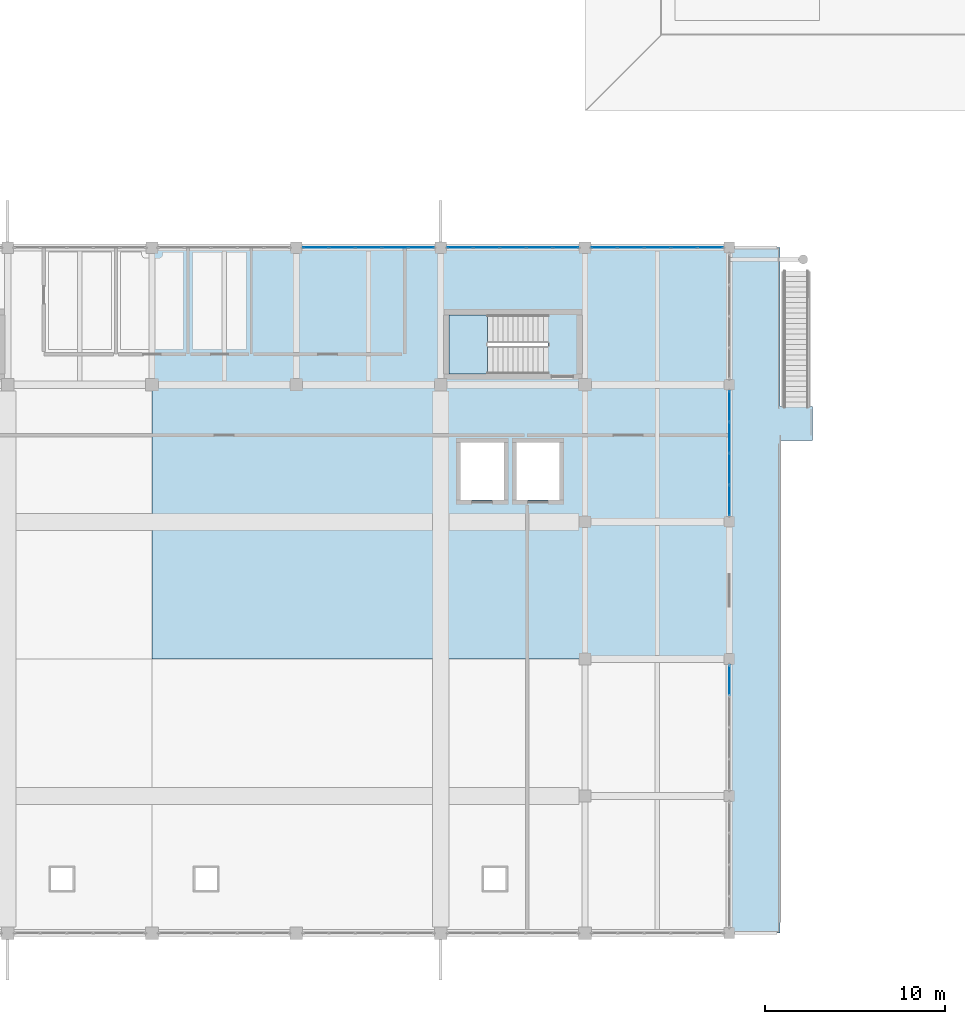
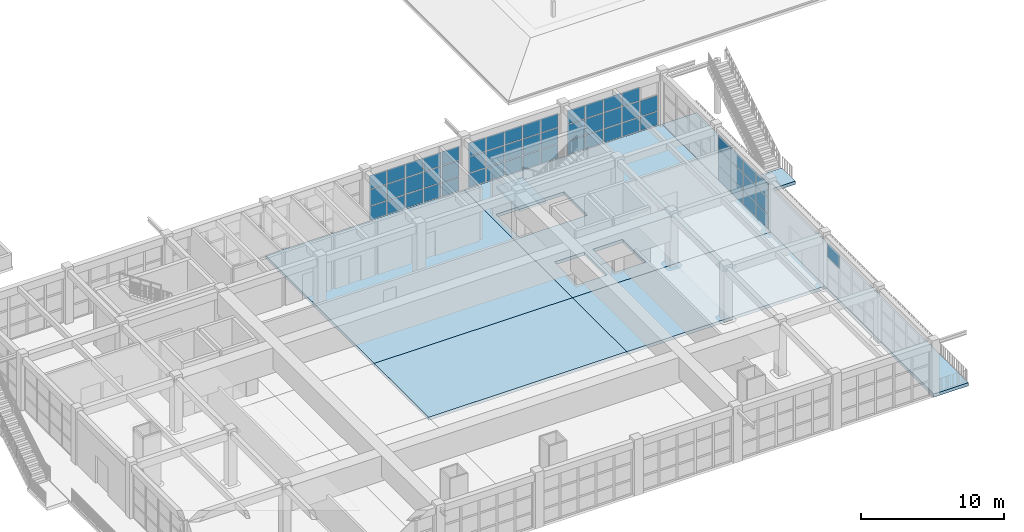
# One storey, part 33 of 50: 57 plates, 6 slabs, 6 elements without a shape of their own.
"""IFC4 building model written with IfcOpenShell, lengths in metres."""

from ifc_helpers import new_model, si_unit, direction, frame, origin, origin_2d, place, context, subcontext, project, spatial, polyline, rectangle, outline, extrude, material, layer, layer_set, type_object, element, aggregate, save


model = new_model("IFC4")

# Units and contexts
model_context = context("Model", 3, precision=1e-05, world=origin(), true_north=direction((0.0, 1.0)))
body_context = subcontext(model_context, "Body", "Model", "MODEL_VIEW")
ifc_project = project(units=[si_unit("LENGTHUNIT", "METRE"), si_unit("AREAUNIT", "SQUARE_METRE"), si_unit("VOLUMEUNIT", "CUBIC_METRE"), si_unit("PLANEANGLEUNIT", "RADIAN"), si_unit("MASSUNIT", "GRAM", prefix="KILO")], contexts=[model_context])

# Site, building, storey
site_placement = place(None, origin())
site = spatial("IfcSite", under=ifc_project, at=site_placement, CompositionType="ELEMENT")
building_placement = place(site_placement, origin())
building = spatial("IfcBuilding", under=site, at=building_placement, Name="Zantavel Square City Hall", CompositionType="ELEMENT")
storey_placement = place(building_placement, frame((0.0, 0.0, 18.89990234375)))
storey = spatial("IfcBuildingStorey", under=building, at=storey_placement, Name="L05", CompositionType="ELEMENT", Elevation=18.89990234375)

# Stair, slab
ifc_material_1 = material(Name="Concrete C35/45", Category="concrete")
stair_type = type_object("IfcStairType", Name="Enclosed Core Dogleg Stair L05 H4800", PredefinedType="HALF_TURN_STAIR", material=ifc_material_1)
stair_placement = place(storey_placement, origin())
stair = element("IfcStair", 1, at=stair_placement, inside=storey, type_object=stair_type, Name="L05 Exit Stair 6 Central East Core", PredefinedType="HALF_TURN_STAIR")
ifc_layer_1 = layer(ifc_material_1, 0.2099609375, Name="Concrete C35/45")
ifc_layer_set_1 = layer_set([ifc_layer_1], Name="Concrete C35/45")
slab_type_1 = type_object("IfcSlabType", Name="Core Stair Half-Landing Slab C35/45", PredefinedType="LANDING", material=ifc_layer_set_1)
slab_1_placement = place(storey_placement, frame((0.0, 0.0, 2.2001953125)))
slab_1 = element("IfcSlab", 2, at=slab_1_placement, type_object=slab_type_1, Name="ST6 landing 1", PredefinedType="LANDING", context=body_context, shape_type="SweptSolid", body=[
    extrude(outline(polyline([(98.610107421875, 64.669921875), (96.469970703125, 64.669921875), (96.469970703125, 61.39990234375), (98.610107421875, 61.39990234375), (98.610107421875, 64.669921875)])), origin(), (0.0, 0.0, 1.0), 0.199951171875),
])
aggregate(stair, [slab_1])

# Slabs
ifc_material_2 = material(Name="Concrete C40/50", Category="concrete")
ifc_layer_2 = layer(ifc_material_2, 0.27001953125, Name="Concrete C40/50")
ifc_layer_set_2 = layer_set([ifc_layer_2], Name="Concrete C40/50")
slab_type_2 = type_object("IfcSlabType", Name="Council Chamber Acoustic Slab 270mm C40/50", PredefinedType="FLOOR", material=ifc_layer_set_2)
slab_2_placement = place(storey_placement, frame((0.0, 0.0, -0.27001953125)))
element("IfcSlab", 3, at=slab_2_placement, inside=storey, type_object=slab_type_2, Name="L05 Floor Slab SLB-L05-V1-07", PredefinedType="FLOOR", context=body_context, shape_type="SweptSolid", body=[
    extrude(outline(polyline([(96.0, 53.199951171875), (96.0, 45.60009765625), (80.0, 45.60009765625), (80.0, 53.199951171875), (96.0, 53.199951171875)])), origin(), (0.0, 0.0, 1.0), 0.27001953125),
])
slab_3_placement = place(storey_placement, frame((0.0, 0.0, -0.27001953125)))
element("IfcSlab", 4, at=slab_3_placement, inside=storey, type_object=slab_type_2, Name="L05 Floor Slab SLB-L05-V1-08", PredefinedType="FLOOR", context=body_context, shape_type="SweptSolid", body=[
    extrude(outline(polyline([(112.0, 53.199951171875), (112.0, 45.60009765625), (96.0, 45.60009765625), (96.0, 53.199951171875), (112.0, 53.199951171875)])), origin(), (0.0, 0.0, 1.0), 0.27001953125),
])
slab_4_placement = place(storey_placement, frame((0.0, 0.0, -0.27001953125)))
element("IfcSlab", 5, at=slab_4_placement, inside=storey, type_object=slab_type_2, Name="L05 Floor Slab SLB-L05-V1-11", PredefinedType="FLOOR", context=body_context, shape_type="SweptSolid", body=[
    extrude(outline(polyline([(96.0, 68.39990234375), (96.0, 53.199951171875), (80.0, 53.199951171875), (80.0, 68.39990234375), (96.0, 68.39990234375)])), origin(), (0.0, 0.0, 1.0), 0.27001953125),
])
slab_5_placement = place(storey_placement, frame((0.0, 0.0, -0.27001953125)))
element("IfcSlab", 6, at=slab_5_placement, inside=storey, type_object=slab_type_2, Name="L05 Floor Slab SLB-L05-V1-12", PredefinedType="FLOOR", context=body_context, shape_type="SweptSolid", body=[
    extrude(outline(polyline([(96.0, 68.39990234375), (112.0, 68.39990234375), (112.0, 53.199951171875), (96.0, 53.199951171875), (96.0, 68.39990234375)]), holes=[polyline([(96.469970703125, 61.39990234375), (101.949951171875, 61.39990234375), (101.949951171875, 64.669921875), (96.469970703125, 64.669921875), (96.469970703125, 61.39990234375)]), polyline([(97.10009765625, 57.60009765625), (97.10009765625, 54.39990234375), (99.5, 54.39990234375), (99.5, 57.60009765625), (97.10009765625, 57.60009765625)]), polyline([(102.60009765625, 57.60009765625), (100.199951171875, 57.60009765625), (100.199951171875, 54.39990234375), (102.60009765625, 54.39990234375), (102.60009765625, 57.60009765625)])]), origin(), (0.0, 0.0, 1.0), 0.27001953125),
])

# Curtain wall, plates
ifc_material_3 = material(Name="Anodised aluminium 6063-T6", Category="aluminium")
curtain_wall_type_1 = type_object("IfcCurtainWallType", Name="Curtain Wall TRV1 7350x3920", PredefinedType="USERDEFINED", material=ifc_material_3)
curtain_wall_1_placement = place(storey_placement, origin())
curtain_wall_1 = element("IfcCurtainWall", 7, at=curtain_wall_1_placement, inside=storey, type_object=curtain_wall_type_1, Name="L05 Glazed Curtain Wall CW-L05-126", ObjectType="GLAZED CURTAIN WALL", PredefinedType="USERDEFINED")
ifc_material_4 = material(Name="Tempered safety glass low-E double glazing", Category="glass")
ifc_layer_3 = layer(ifc_material_4, 0.028076171875, Name="Tempered safety glass low-E double glazing")
ifc_layer_set_3 = layer_set([ifc_layer_3], Name="Tempered safety glass low-E double glazing")
plate_type_1 = type_object("IfcPlateType", Name="Low-E Curtain Glazing Panel 1470x1307x28", PredefinedType="CURTAIN_PANEL", material=ifc_layer_set_3)
plate_1_placement = place(storey_placement, frame((89.074951171875, 68.39990234375, 0.06005859375), z_axis=(0.0, 0.0, 1.0), x_axis=(1.0, 0.0, 0.0)))
plate_1 = element("IfcPlate", 8, at=plate_1_placement, type_object=plate_type_1, Name="CW-126 panel 1.1", PredefinedType="CURTAIN_PANEL", context=body_context, shape_type="SweptSolid", body=[
    extrude(rectangle(XDim=1.3798828125, YDim=0.028076171875, at=origin_2d()), origin(), (0.0, 0.0, 1.0), 1.1640625),
])
plate_2_placement = place(storey_placement, frame((89.074951171875, 68.39990234375, 1.2841796875), z_axis=(0.0, 0.0, 1.0), x_axis=(1.0, 0.0, 0.0)))
plate_2 = element("IfcPlate", 9, at=plate_2_placement, type_object=plate_type_1, Name="CW-126 panel 1.2", PredefinedType="CURTAIN_PANEL", context=body_context, shape_type="SweptSolid", body=[
    extrude(rectangle(XDim=1.3798828125, YDim=0.028076171875, at=origin_2d()), origin(), (0.0, 0.0, 1.0), 1.35205078125),
])
plate_3_placement = place(storey_placement, frame((89.074951171875, 68.39990234375, 2.696044921875), z_axis=(0.0, 0.0, 1.0), x_axis=(1.0, 0.0, 0.0)))
plate_3 = element("IfcPlate", 10, at=plate_3_placement, type_object=plate_type_1, Name="CW-126 panel 1.3", PredefinedType="CURTAIN_PANEL", context=body_context, shape_type="SweptSolid", body=[
    extrude(rectangle(XDim=1.3798828125, YDim=0.028076171875, at=origin_2d()), origin(), (0.0, 0.0, 1.0), 1.1640625),
])
plate_4_placement = place(storey_placement, frame((90.530029296875, 68.39990234375, 0.06005859375), z_axis=(0.0, 0.0, 1.0), x_axis=(1.0, 0.0, 0.0)))
plate_4 = element("IfcPlate", 11, at=plate_4_placement, type_object=plate_type_1, Name="CW-126 panel 2.1", PredefinedType="CURTAIN_PANEL", context=body_context, shape_type="SweptSolid", body=[
    extrude(rectangle(XDim=1.409912109375, YDim=0.028076171875, at=origin_2d()), origin(), (0.0, 0.0, 1.0), 1.1640625),
])
plate_5_placement = place(storey_placement, frame((90.530029296875, 68.39990234375, 1.2841796875), z_axis=(0.0, 0.0, 1.0), x_axis=(1.0, 0.0, 0.0)))
plate_5 = element("IfcPlate", 12, at=plate_5_placement, type_object=plate_type_1, Name="CW-126 panel 2.2", PredefinedType="CURTAIN_PANEL", context=body_context, shape_type="SweptSolid", body=[
    extrude(rectangle(XDim=1.409912109375, YDim=0.028076171875, at=origin_2d()), origin(), (0.0, 0.0, 1.0), 1.35205078125),
])
plate_6_placement = place(storey_placement, frame((90.530029296875, 68.39990234375, 2.696044921875), z_axis=(0.0, 0.0, 1.0), x_axis=(1.0, 0.0, 0.0)))
plate_6 = element("IfcPlate", 13, at=plate_6_placement, type_object=plate_type_1, Name="CW-126 panel 2.3", PredefinedType="CURTAIN_PANEL", context=body_context, shape_type="SweptSolid", body=[
    extrude(rectangle(XDim=1.409912109375, YDim=0.028076171875, at=origin_2d()), origin(), (0.0, 0.0, 1.0), 1.1640625),
])
plate_7_placement = place(storey_placement, frame((92.0, 68.39990234375, 0.06005859375), z_axis=(0.0, 0.0, 1.0), x_axis=(1.0, 0.0, 0.0)))
plate_7 = element("IfcPlate", 14, at=plate_7_placement, type_object=plate_type_1, Name="CW-126 panel 3.1", PredefinedType="CURTAIN_PANEL", context=body_context, shape_type="SweptSolid", body=[
    extrude(rectangle(XDim=1.409912109375, YDim=0.028076171875, at=origin_2d()), origin(), (0.0, 0.0, 1.0), 1.1640625),
])
plate_8_placement = place(storey_placement, frame((92.0, 68.39990234375, 1.2841796875), z_axis=(0.0, 0.0, 1.0), x_axis=(1.0, 0.0, 0.0)))
plate_8 = element("IfcPlate", 15, at=plate_8_placement, type_object=plate_type_1, Name="CW-126 panel 3.2", PredefinedType="CURTAIN_PANEL", context=body_context, shape_type="SweptSolid", body=[
    extrude(rectangle(XDim=1.409912109375, YDim=0.028076171875, at=origin_2d()), origin(), (0.0, 0.0, 1.0), 1.35205078125),
])
plate_9_placement = place(storey_placement, frame((92.0, 68.39990234375, 2.696044921875), z_axis=(0.0, 0.0, 1.0), x_axis=(1.0, 0.0, 0.0)))
plate_9 = element("IfcPlate", 16, at=plate_9_placement, type_object=plate_type_1, Name="CW-126 panel 3.3", PredefinedType="CURTAIN_PANEL", context=body_context, shape_type="SweptSolid", body=[
    extrude(rectangle(XDim=1.409912109375, YDim=0.028076171875, at=origin_2d()), origin(), (0.0, 0.0, 1.0), 1.1640625),
])
plate_10_placement = place(storey_placement, frame((93.469970703125, 68.39990234375, 0.06005859375), z_axis=(0.0, 0.0, 1.0), x_axis=(1.0, 0.0, 0.0)))
plate_10 = element("IfcPlate", 17, at=plate_10_placement, type_object=plate_type_1, Name="CW-126 panel 4.1", PredefinedType="CURTAIN_PANEL", context=body_context, shape_type="SweptSolid", body=[
    extrude(rectangle(XDim=1.409912109375, YDim=0.028076171875, at=origin_2d()), origin(), (0.0, 0.0, 1.0), 1.1640625),
])
plate_11_placement = place(storey_placement, frame((93.469970703125, 68.39990234375, 1.2841796875), z_axis=(0.0, 0.0, 1.0), x_axis=(1.0, 0.0, 0.0)))
plate_11 = element("IfcPlate", 18, at=plate_11_placement, type_object=plate_type_1, Name="CW-126 panel 4.2", PredefinedType="CURTAIN_PANEL", context=body_context, shape_type="SweptSolid", body=[
    extrude(rectangle(XDim=1.409912109375, YDim=0.028076171875, at=origin_2d()), origin(), (0.0, 0.0, 1.0), 1.35205078125),
])
plate_12_placement = place(storey_placement, frame((93.469970703125, 68.39990234375, 2.696044921875), z_axis=(0.0, 0.0, 1.0), x_axis=(1.0, 0.0, 0.0)))
plate_12 = element("IfcPlate", 19, at=plate_12_placement, type_object=plate_type_1, Name="CW-126 panel 4.3", PredefinedType="CURTAIN_PANEL", context=body_context, shape_type="SweptSolid", body=[
    extrude(rectangle(XDim=1.409912109375, YDim=0.028076171875, at=origin_2d()), origin(), (0.0, 0.0, 1.0), 1.1640625),
])
plate_13_placement = place(storey_placement, frame((94.925048828125, 68.39990234375, 0.06005859375), z_axis=(0.0, 0.0, 1.0), x_axis=(1.0, 0.0, 0.0)))
plate_13 = element("IfcPlate", 20, at=plate_13_placement, type_object=plate_type_1, Name="CW-126 panel 5.1", PredefinedType="CURTAIN_PANEL", context=body_context, shape_type="SweptSolid", body=[
    extrude(rectangle(XDim=1.3798828125, YDim=0.028076171875, at=origin_2d()), origin(), (0.0, 0.0, 1.0), 1.1640625),
])
plate_14_placement = place(storey_placement, frame((94.925048828125, 68.39990234375, 1.2841796875), z_axis=(0.0, 0.0, 1.0), x_axis=(1.0, 0.0, 0.0)))
plate_14 = element("IfcPlate", 21, at=plate_14_placement, type_object=plate_type_1, Name="CW-126 panel 5.2", PredefinedType="CURTAIN_PANEL", context=body_context, shape_type="SweptSolid", body=[
    extrude(rectangle(XDim=1.3798828125, YDim=0.028076171875, at=origin_2d()), origin(), (0.0, 0.0, 1.0), 1.35205078125),
])
plate_15_placement = place(storey_placement, frame((94.925048828125, 68.39990234375, 2.696044921875), z_axis=(0.0, 0.0, 1.0), x_axis=(1.0, 0.0, 0.0)))
plate_15 = element("IfcPlate", 22, at=plate_15_placement, type_object=plate_type_1, Name="CW-126 panel 5.3", PredefinedType="CURTAIN_PANEL", context=body_context, shape_type="SweptSolid", body=[
    extrude(rectangle(XDim=1.3798828125, YDim=0.028076171875, at=origin_2d()), origin(), (0.0, 0.0, 1.0), 1.1640625),
])
aggregate(curtain_wall_1, [plate_1, plate_2, plate_3, plate_4, plate_5, plate_6, plate_7, plate_8, plate_9, plate_10, plate_11, plate_12, plate_13, plate_14, plate_15])

curtain_wall_2_placement = place(storey_placement, origin())
curtain_wall_2 = element("IfcCurtainWall", 23, at=curtain_wall_2_placement, inside=storey, type_object=curtain_wall_type_1, Name="L05 Glazed Curtain Wall CW-L05-127", ObjectType="GLAZED CURTAIN WALL", PredefinedType="USERDEFINED")
plate_16_placement = place(storey_placement, frame((97.074951171875, 68.39990234375, 0.06005859375), z_axis=(0.0, 0.0, 1.0), x_axis=(1.0, 0.0, 0.0)))
plate_16 = element("IfcPlate", 24, at=plate_16_placement, type_object=plate_type_1, Name="CW-127 panel 1.1", PredefinedType="CURTAIN_PANEL", context=body_context, shape_type="SweptSolid", body=[
    extrude(rectangle(XDim=1.3798828125, YDim=0.028076171875, at=origin_2d()), origin(), (0.0, 0.0, 1.0), 1.1640625),
])
plate_17_placement = place(storey_placement, frame((97.074951171875, 68.39990234375, 1.2841796875), z_axis=(0.0, 0.0, 1.0), x_axis=(1.0, 0.0, 0.0)))
plate_17 = element("IfcPlate", 25, at=plate_17_placement, type_object=plate_type_1, Name="CW-127 panel 1.2", PredefinedType="CURTAIN_PANEL", context=body_context, shape_type="SweptSolid", body=[
    extrude(rectangle(XDim=1.3798828125, YDim=0.028076171875, at=origin_2d()), origin(), (0.0, 0.0, 1.0), 1.35205078125),
])
plate_18_placement = place(storey_placement, frame((97.074951171875, 68.39990234375, 2.696044921875), z_axis=(0.0, 0.0, 1.0), x_axis=(1.0, 0.0, 0.0)))
plate_18 = element("IfcPlate", 26, at=plate_18_placement, type_object=plate_type_1, Name="CW-127 panel 1.3", PredefinedType="CURTAIN_PANEL", context=body_context, shape_type="SweptSolid", body=[
    extrude(rectangle(XDim=1.3798828125, YDim=0.028076171875, at=origin_2d()), origin(), (0.0, 0.0, 1.0), 1.1640625),
])
plate_19_placement = place(storey_placement, frame((98.530029296875, 68.39990234375, 0.06005859375), z_axis=(0.0, 0.0, 1.0), x_axis=(1.0, 0.0, 0.0)))
plate_19 = element("IfcPlate", 27, at=plate_19_placement, type_object=plate_type_1, Name="CW-127 panel 2.1", PredefinedType="CURTAIN_PANEL", context=body_context, shape_type="SweptSolid", body=[
    extrude(rectangle(XDim=1.409912109375, YDim=0.028076171875, at=origin_2d()), origin(), (0.0, 0.0, 1.0), 1.1640625),
])
plate_20_placement = place(storey_placement, frame((98.530029296875, 68.39990234375, 1.2841796875), z_axis=(0.0, 0.0, 1.0), x_axis=(1.0, 0.0, 0.0)))
plate_20 = element("IfcPlate", 28, at=plate_20_placement, type_object=plate_type_1, Name="CW-127 panel 2.2", PredefinedType="CURTAIN_PANEL", context=body_context, shape_type="SweptSolid", body=[
    extrude(rectangle(XDim=1.409912109375, YDim=0.028076171875, at=origin_2d()), origin(), (0.0, 0.0, 1.0), 1.35205078125),
])
plate_21_placement = place(storey_placement, frame((98.530029296875, 68.39990234375, 2.696044921875), z_axis=(0.0, 0.0, 1.0), x_axis=(1.0, 0.0, 0.0)))
plate_21 = element("IfcPlate", 29, at=plate_21_placement, type_object=plate_type_1, Name="CW-127 panel 2.3", PredefinedType="CURTAIN_PANEL", context=body_context, shape_type="SweptSolid", body=[
    extrude(rectangle(XDim=1.409912109375, YDim=0.028076171875, at=origin_2d()), origin(), (0.0, 0.0, 1.0), 1.1640625),
])
plate_22_placement = place(storey_placement, frame((100.0, 68.39990234375, 0.06005859375), z_axis=(0.0, 0.0, 1.0), x_axis=(1.0, 0.0, 0.0)))
plate_22 = element("IfcPlate", 30, at=plate_22_placement, type_object=plate_type_1, Name="CW-127 panel 3.1", PredefinedType="CURTAIN_PANEL", context=body_context, shape_type="SweptSolid", body=[
    extrude(rectangle(XDim=1.409912109375, YDim=0.028076171875, at=origin_2d()), origin(), (0.0, 0.0, 1.0), 1.1640625),
])
plate_23_placement = place(storey_placement, frame((100.0, 68.39990234375, 1.2841796875), z_axis=(0.0, 0.0, 1.0), x_axis=(1.0, 0.0, 0.0)))
plate_23 = element("IfcPlate", 31, at=plate_23_placement, type_object=plate_type_1, Name="CW-127 panel 3.2", PredefinedType="CURTAIN_PANEL", context=body_context, shape_type="SweptSolid", body=[
    extrude(rectangle(XDim=1.409912109375, YDim=0.028076171875, at=origin_2d()), origin(), (0.0, 0.0, 1.0), 1.35205078125),
])
plate_24_placement = place(storey_placement, frame((100.0, 68.39990234375, 2.696044921875), z_axis=(0.0, 0.0, 1.0), x_axis=(1.0, 0.0, 0.0)))
plate_24 = element("IfcPlate", 32, at=plate_24_placement, type_object=plate_type_1, Name="CW-127 panel 3.3", PredefinedType="CURTAIN_PANEL", context=body_context, shape_type="SweptSolid", body=[
    extrude(rectangle(XDim=1.409912109375, YDim=0.028076171875, at=origin_2d()), origin(), (0.0, 0.0, 1.0), 1.1640625),
])
plate_25_placement = place(storey_placement, frame((101.469970703125, 68.39990234375, 0.06005859375), z_axis=(0.0, 0.0, 1.0), x_axis=(1.0, 0.0, 0.0)))
plate_25 = element("IfcPlate", 33, at=plate_25_placement, type_object=plate_type_1, Name="CW-127 panel 4.1", PredefinedType="CURTAIN_PANEL", context=body_context, shape_type="SweptSolid", body=[
    extrude(rectangle(XDim=1.409912109375, YDim=0.028076171875, at=origin_2d()), origin(), (0.0, 0.0, 1.0), 1.1640625),
])
plate_26_placement = place(storey_placement, frame((101.469970703125, 68.39990234375, 1.2841796875), z_axis=(0.0, 0.0, 1.0), x_axis=(1.0, 0.0, 0.0)))
plate_26 = element("IfcPlate", 34, at=plate_26_placement, type_object=plate_type_1, Name="CW-127 panel 4.2", PredefinedType="CURTAIN_PANEL", context=body_context, shape_type="SweptSolid", body=[
    extrude(rectangle(XDim=1.409912109375, YDim=0.028076171875, at=origin_2d()), origin(), (0.0, 0.0, 1.0), 1.35205078125),
])
plate_27_placement = place(storey_placement, frame((101.469970703125, 68.39990234375, 2.696044921875), z_axis=(0.0, 0.0, 1.0), x_axis=(1.0, 0.0, 0.0)))
plate_27 = element("IfcPlate", 35, at=plate_27_placement, type_object=plate_type_1, Name="CW-127 panel 4.3", PredefinedType="CURTAIN_PANEL", context=body_context, shape_type="SweptSolid", body=[
    extrude(rectangle(XDim=1.409912109375, YDim=0.028076171875, at=origin_2d()), origin(), (0.0, 0.0, 1.0), 1.1640625),
])
plate_28_placement = place(storey_placement, frame((102.925048828125, 68.39990234375, 0.06005859375), z_axis=(0.0, 0.0, 1.0), x_axis=(1.0, 0.0, 0.0)))
plate_28 = element("IfcPlate", 36, at=plate_28_placement, type_object=plate_type_1, Name="CW-127 panel 5.1", PredefinedType="CURTAIN_PANEL", context=body_context, shape_type="SweptSolid", body=[
    extrude(rectangle(XDim=1.3798828125, YDim=0.028076171875, at=origin_2d()), origin(), (0.0, 0.0, 1.0), 1.1640625),
])
plate_29_placement = place(storey_placement, frame((102.925048828125, 68.39990234375, 1.2841796875), z_axis=(0.0, 0.0, 1.0), x_axis=(1.0, 0.0, 0.0)))
plate_29 = element("IfcPlate", 37, at=plate_29_placement, type_object=plate_type_1, Name="CW-127 panel 5.2", PredefinedType="CURTAIN_PANEL", context=body_context, shape_type="SweptSolid", body=[
    extrude(rectangle(XDim=1.3798828125, YDim=0.028076171875, at=origin_2d()), origin(), (0.0, 0.0, 1.0), 1.35205078125),
])
plate_30_placement = place(storey_placement, frame((102.925048828125, 68.39990234375, 2.696044921875), z_axis=(0.0, 0.0, 1.0), x_axis=(1.0, 0.0, 0.0)))
plate_30 = element("IfcPlate", 38, at=plate_30_placement, type_object=plate_type_1, Name="CW-127 panel 5.3", PredefinedType="CURTAIN_PANEL", context=body_context, shape_type="SweptSolid", body=[
    extrude(rectangle(XDim=1.3798828125, YDim=0.028076171875, at=origin_2d()), origin(), (0.0, 0.0, 1.0), 1.1640625),
])
aggregate(curtain_wall_2, [plate_16, plate_17, plate_18, plate_19, plate_20, plate_21, plate_22, plate_23, plate_24, plate_25, plate_26, plate_27, plate_28, plate_29, plate_30])

curtain_wall_type_2 = type_object("IfcCurtainWallType", Name="Curtain Wall TRV1 7375x3870", PredefinedType="USERDEFINED", material=ifc_material_3)
curtain_wall_3_placement = place(storey_placement, origin())
curtain_wall_3 = element("IfcCurtainWall", 39, at=curtain_wall_3_placement, inside=storey, type_object=curtain_wall_type_2, Name="L05 Glazed Curtain Wall CW-L05-128", ObjectType="GLAZED CURTAIN WALL", PredefinedType="USERDEFINED")
ifc_layer_4 = layer(ifc_material_4, 0.028076171875, Name="Tempered safety glass low-E double glazing")
ifc_layer_set_4 = layer_set([ifc_layer_4], Name="Tempered safety glass low-E double glazing")
plate_type_2 = type_object("IfcPlateType", Name="Low-E Curtain Glazing Panel 1475x1290x28", PredefinedType="CURTAIN_PANEL", material=ifc_layer_set_4)
plate_31_placement = place(storey_placement, frame((105.077392578125, 68.39990234375, 0.06005859375), z_axis=(0.0, 0.0, 1.0), x_axis=(1.0, 0.0, 0.0)))
plate_31 = element("IfcPlate", 40, at=plate_31_placement, type_object=plate_type_2, Name="CW-128 panel 1.1", PredefinedType="CURTAIN_PANEL", context=body_context, shape_type="SweptSolid", body=[
    extrude(rectangle(XDim=1.385009765625, YDim=0.028076171875, at=origin_2d()), origin(), (0.0, 0.0, 1.0), 1.14794921875),
])
plate_32_placement = place(storey_placement, frame((105.077392578125, 68.39990234375, 1.26806640625), z_axis=(0.0, 0.0, 1.0), x_axis=(1.0, 0.0, 0.0)))
plate_32 = element("IfcPlate", 41, at=plate_32_placement, type_object=plate_type_2, Name="CW-128 panel 1.2", PredefinedType="CURTAIN_PANEL", context=body_context, shape_type="SweptSolid", body=[
    extrude(rectangle(XDim=1.385009765625, YDim=0.028076171875, at=origin_2d()), origin(), (0.0, 0.0, 1.0), 1.333984375),
])
plate_33_placement = place(storey_placement, frame((105.077392578125, 68.39990234375, 2.662109375), z_axis=(0.0, 0.0, 1.0), x_axis=(1.0, 0.0, 0.0)))
plate_33 = element("IfcPlate", 42, at=plate_33_placement, type_object=plate_type_2, Name="CW-128 panel 1.3", PredefinedType="CURTAIN_PANEL", context=body_context, shape_type="SweptSolid", body=[
    extrude(rectangle(XDim=1.385009765625, YDim=0.028076171875, at=origin_2d()), origin(), (0.0, 0.0, 1.0), 1.14794921875),
])
plate_34_placement = place(storey_placement, frame((106.53759765625, 68.39990234375, 0.06005859375), z_axis=(0.0, 0.0, 1.0), x_axis=(1.0, 0.0, 0.0)))
plate_34 = element("IfcPlate", 43, at=plate_34_placement, type_object=plate_type_2, Name="CW-128 panel 2.1", PredefinedType="CURTAIN_PANEL", context=body_context, shape_type="SweptSolid", body=[
    extrude(rectangle(XDim=1.4150390625, YDim=0.028076171875, at=origin_2d()), origin(), (0.0, 0.0, 1.0), 1.14794921875),
])
plate_35_placement = place(storey_placement, frame((106.53759765625, 68.39990234375, 1.26806640625), z_axis=(0.0, 0.0, 1.0), x_axis=(1.0, 0.0, 0.0)))
plate_35 = element("IfcPlate", 44, at=plate_35_placement, type_object=plate_type_2, Name="CW-128 panel 2.2", PredefinedType="CURTAIN_PANEL", context=body_context, shape_type="SweptSolid", body=[
    extrude(rectangle(XDim=1.4150390625, YDim=0.028076171875, at=origin_2d()), origin(), (0.0, 0.0, 1.0), 1.333984375),
])
plate_36_placement = place(storey_placement, frame((106.53759765625, 68.39990234375, 2.662109375), z_axis=(0.0, 0.0, 1.0), x_axis=(1.0, 0.0, 0.0)))
plate_36 = element("IfcPlate", 45, at=plate_36_placement, type_object=plate_type_2, Name="CW-128 panel 2.3", PredefinedType="CURTAIN_PANEL", context=body_context, shape_type="SweptSolid", body=[
    extrude(rectangle(XDim=1.4150390625, YDim=0.028076171875, at=origin_2d()), origin(), (0.0, 0.0, 1.0), 1.14794921875),
])
plate_37_placement = place(storey_placement, frame((108.012451171875, 68.39990234375, 0.06005859375), z_axis=(0.0, 0.0, 1.0), x_axis=(1.0, 0.0, 0.0)))
plate_37 = element("IfcPlate", 46, at=plate_37_placement, type_object=plate_type_2, Name="CW-128 panel 3.1", PredefinedType="CURTAIN_PANEL", context=body_context, shape_type="SweptSolid", body=[
    extrude(rectangle(XDim=1.4150390625, YDim=0.028076171875, at=origin_2d()), origin(), (0.0, 0.0, 1.0), 1.14794921875),
])
plate_38_placement = place(storey_placement, frame((108.012451171875, 68.39990234375, 1.26806640625), z_axis=(0.0, 0.0, 1.0), x_axis=(1.0, 0.0, 0.0)))
plate_38 = element("IfcPlate", 47, at=plate_38_placement, type_object=plate_type_2, Name="CW-128 panel 3.2", PredefinedType="CURTAIN_PANEL", context=body_context, shape_type="SweptSolid", body=[
    extrude(rectangle(XDim=1.4150390625, YDim=0.028076171875, at=origin_2d()), origin(), (0.0, 0.0, 1.0), 1.333984375),
])
plate_39_placement = place(storey_placement, frame((108.012451171875, 68.39990234375, 2.662109375), z_axis=(0.0, 0.0, 1.0), x_axis=(1.0, 0.0, 0.0)))
plate_39 = element("IfcPlate", 48, at=plate_39_placement, type_object=plate_type_2, Name="CW-128 panel 3.3", PredefinedType="CURTAIN_PANEL", context=body_context, shape_type="SweptSolid", body=[
    extrude(rectangle(XDim=1.4150390625, YDim=0.028076171875, at=origin_2d()), origin(), (0.0, 0.0, 1.0), 1.14794921875),
])
plate_40_placement = place(storey_placement, frame((109.487548828125, 68.39990234375, 0.06005859375), z_axis=(0.0, 0.0, 1.0), x_axis=(1.0, 0.0, 0.0)))
plate_40 = element("IfcPlate", 49, at=plate_40_placement, type_object=plate_type_2, Name="CW-128 panel 4.1", PredefinedType="CURTAIN_PANEL", context=body_context, shape_type="SweptSolid", body=[
    extrude(rectangle(XDim=1.4150390625, YDim=0.028076171875, at=origin_2d()), origin(), (0.0, 0.0, 1.0), 1.14794921875),
])
plate_41_placement = place(storey_placement, frame((109.487548828125, 68.39990234375, 1.26806640625), z_axis=(0.0, 0.0, 1.0), x_axis=(1.0, 0.0, 0.0)))
plate_41 = element("IfcPlate", 50, at=plate_41_placement, type_object=plate_type_2, Name="CW-128 panel 4.2", PredefinedType="CURTAIN_PANEL", context=body_context, shape_type="SweptSolid", body=[
    extrude(rectangle(XDim=1.4150390625, YDim=0.028076171875, at=origin_2d()), origin(), (0.0, 0.0, 1.0), 1.333984375),
])
plate_42_placement = place(storey_placement, frame((109.487548828125, 68.39990234375, 2.662109375), z_axis=(0.0, 0.0, 1.0), x_axis=(1.0, 0.0, 0.0)))
plate_42 = element("IfcPlate", 51, at=plate_42_placement, type_object=plate_type_2, Name="CW-128 panel 4.3", PredefinedType="CURTAIN_PANEL", context=body_context, shape_type="SweptSolid", body=[
    extrude(rectangle(XDim=1.4150390625, YDim=0.028076171875, at=origin_2d()), origin(), (0.0, 0.0, 1.0), 1.14794921875),
])
plate_43_placement = place(storey_placement, frame((110.947509765625, 68.39990234375, 0.06005859375), z_axis=(0.0, 0.0, 1.0), x_axis=(1.0, 0.0, 0.0)))
plate_43 = element("IfcPlate", 52, at=plate_43_placement, type_object=plate_type_2, Name="CW-128 panel 5.1", PredefinedType="CURTAIN_PANEL", context=body_context, shape_type="SweptSolid", body=[
    extrude(rectangle(XDim=1.385009765625, YDim=0.028076171875, at=origin_2d()), origin(), (0.0, 0.0, 1.0), 1.14794921875),
])
plate_44_placement = place(storey_placement, frame((110.947509765625, 68.39990234375, 1.26806640625), z_axis=(0.0, 0.0, 1.0), x_axis=(1.0, 0.0, 0.0)))
plate_44 = element("IfcPlate", 53, at=plate_44_placement, type_object=plate_type_2, Name="CW-128 panel 5.2", PredefinedType="CURTAIN_PANEL", context=body_context, shape_type="SweptSolid", body=[
    extrude(rectangle(XDim=1.385009765625, YDim=0.028076171875, at=origin_2d()), origin(), (0.0, 0.0, 1.0), 1.333984375),
])
aggregate(curtain_wall_3, [plate_31, plate_32, plate_33, plate_34, plate_35, plate_36, plate_37, plate_38, plate_39, plate_40, plate_41, plate_42, plate_43, plate_44])

curtain_wall_type_3 = type_object("IfcCurtainWallType", Name="Curtain Wall TRV1 7000x3970", PredefinedType="USERDEFINED", material=ifc_material_3)
curtain_wall_4_placement = place(storey_placement, origin())
curtain_wall_4 = element("IfcCurtainWall", 54, at=curtain_wall_4_placement, inside=storey, type_object=curtain_wall_type_3, Name="L05 Glazed Curtain Wall CW-L05-130", ObjectType="GLAZED CURTAIN WALL", PredefinedType="USERDEFINED")
ifc_layer_5 = layer(ifc_material_4, 0.028076171875, Name="Tempered safety glass low-E double glazing")
ifc_layer_set_5 = layer_set([ifc_layer_5], Name="Tempered safety glass low-E double glazing")
plate_type_3 = type_object("IfcPlateType", Name="Low-E Curtain Glazing Panel 1750x1323x28", PredefinedType="CURTAIN_PANEL", material=ifc_layer_set_5)
plate_45_placement = place(storey_placement, frame((112.0, 59.610107421875, 0.06005859375), z_axis=(0.0, 0.0, 1.0), x_axis=(0.0, -1.0, 0.0)))
plate_45 = element("IfcPlate", 55, at=plate_45_placement, type_object=plate_type_3, Name="CW-130 panel 1.1", PredefinedType="CURTAIN_PANEL", context=body_context, shape_type="SweptSolid", body=[
    extrude(rectangle(XDim=1.659912109375, YDim=0.028076171875, at=origin_2d()), origin(), (0.0, 0.0, 1.0), 1.179931640625),
])
plate_46_placement = place(storey_placement, frame((112.0, 59.610107421875, 1.300048828125), z_axis=(0.0, 0.0, 1.0), x_axis=(0.0, -1.0, 0.0)))
plate_46 = element("IfcPlate", 56, at=plate_46_placement, type_object=plate_type_3, Name="CW-130 panel 1.2", PredefinedType="CURTAIN_PANEL", context=body_context, shape_type="SweptSolid", body=[
    extrude(rectangle(XDim=1.659912109375, YDim=0.028076171875, at=origin_2d()), origin(), (0.0, 0.0, 1.0), 1.3701171875),
])
plate_47_placement = place(storey_placement, frame((112.0, 59.610107421875, 2.72998046875), z_axis=(0.0, 0.0, 1.0), x_axis=(0.0, -1.0, 0.0)))
plate_47 = element("IfcPlate", 57, at=plate_47_placement, type_object=plate_type_3, Name="CW-130 panel 1.3", PredefinedType="CURTAIN_PANEL", context=body_context, shape_type="SweptSolid", body=[
    extrude(rectangle(XDim=1.659912109375, YDim=0.028076171875, at=origin_2d()), origin(), (0.0, 0.0, 1.0), 1.179931640625),
])
plate_48_placement = place(storey_placement, frame((112.0, 57.875, 0.06005859375), z_axis=(0.0, 0.0, 1.0), x_axis=(0.0, -1.0, 0.0)))
plate_48 = element("IfcPlate", 58, at=plate_48_placement, type_object=plate_type_3, Name="CW-130 panel 2.1", PredefinedType="CURTAIN_PANEL", context=body_context, shape_type="SweptSolid", body=[
    extrude(rectangle(XDim=1.68994140625, YDim=0.028076171875, at=origin_2d()), origin(), (0.0, 0.0, 1.0), 1.179931640625),
])
plate_49_placement = place(storey_placement, frame((112.0, 57.875, 1.300048828125), z_axis=(0.0, 0.0, 1.0), x_axis=(0.0, -1.0, 0.0)))
plate_49 = element("IfcPlate", 59, at=plate_49_placement, type_object=plate_type_3, Name="CW-130 panel 2.2", PredefinedType="CURTAIN_PANEL", context=body_context, shape_type="SweptSolid", body=[
    extrude(rectangle(XDim=1.68994140625, YDim=0.028076171875, at=origin_2d()), origin(), (0.0, 0.0, 1.0), 1.3701171875),
])
plate_50_placement = place(storey_placement, frame((112.0, 57.875, 2.72998046875), z_axis=(0.0, 0.0, 1.0), x_axis=(0.0, -1.0, 0.0)))
plate_50 = element("IfcPlate", 60, at=plate_50_placement, type_object=plate_type_3, Name="CW-130 panel 2.3", PredefinedType="CURTAIN_PANEL", context=body_context, shape_type="SweptSolid", body=[
    extrude(rectangle(XDim=1.68994140625, YDim=0.028076171875, at=origin_2d()), origin(), (0.0, 0.0, 1.0), 1.179931640625),
])
plate_51_placement = place(storey_placement, frame((112.0, 56.125, 0.06005859375), z_axis=(0.0, 0.0, 1.0), x_axis=(0.0, -1.0, 0.0)))
plate_51 = element("IfcPlate", 61, at=plate_51_placement, type_object=plate_type_3, Name="CW-130 panel 3.1", PredefinedType="CURTAIN_PANEL", context=body_context, shape_type="SweptSolid", body=[
    extrude(rectangle(XDim=1.68994140625, YDim=0.028076171875, at=origin_2d()), origin(), (0.0, 0.0, 1.0), 1.179931640625),
])
plate_52_placement = place(storey_placement, frame((112.0, 56.125, 1.300048828125), z_axis=(0.0, 0.0, 1.0), x_axis=(0.0, -1.0, 0.0)))
plate_52 = element("IfcPlate", 62, at=plate_52_placement, type_object=plate_type_3, Name="CW-130 panel 3.2", PredefinedType="CURTAIN_PANEL", context=body_context, shape_type="SweptSolid", body=[
    extrude(rectangle(XDim=1.68994140625, YDim=0.028076171875, at=origin_2d()), origin(), (0.0, 0.0, 1.0), 1.3701171875),
])
plate_53_placement = place(storey_placement, frame((112.0, 56.125, 2.72998046875), z_axis=(0.0, 0.0, 1.0), x_axis=(0.0, -1.0, 0.0)))
plate_53 = element("IfcPlate", 63, at=plate_53_placement, type_object=plate_type_3, Name="CW-130 panel 3.3", PredefinedType="CURTAIN_PANEL", context=body_context, shape_type="SweptSolid", body=[
    extrude(rectangle(XDim=1.68994140625, YDim=0.028076171875, at=origin_2d()), origin(), (0.0, 0.0, 1.0), 1.179931640625),
])
plate_54_placement = place(storey_placement, frame((112.0, 54.389892578125, 0.06005859375), z_axis=(0.0, 0.0, 1.0), x_axis=(0.0, -1.0, 0.0)))
plate_54 = element("IfcPlate", 64, at=plate_54_placement, type_object=plate_type_3, Name="CW-130 panel 4.1", PredefinedType="CURTAIN_PANEL", context=body_context, shape_type="SweptSolid", body=[
    extrude(rectangle(XDim=1.659912109375, YDim=0.028076171875, at=origin_2d()), origin(), (0.0, 0.0, 1.0), 1.179931640625),
])
plate_55_placement = place(storey_placement, frame((112.0, 54.389892578125, 1.300048828125), z_axis=(0.0, 0.0, 1.0), x_axis=(0.0, -1.0, 0.0)))
plate_55 = element("IfcPlate", 65, at=plate_55_placement, type_object=plate_type_3, Name="CW-130 panel 4.2", PredefinedType="CURTAIN_PANEL", context=body_context, shape_type="SweptSolid", body=[
    extrude(rectangle(XDim=1.659912109375, YDim=0.028076171875, at=origin_2d()), origin(), (0.0, 0.0, 1.0), 1.3701171875),
])
plate_56_placement = place(storey_placement, frame((112.0, 54.389892578125, 2.72998046875), z_axis=(0.0, 0.0, 1.0), x_axis=(0.0, -1.0, 0.0)))
plate_56 = element("IfcPlate", 66, at=plate_56_placement, type_object=plate_type_3, Name="CW-130 panel 4.3", PredefinedType="CURTAIN_PANEL", context=body_context, shape_type="SweptSolid", body=[
    extrude(rectangle(XDim=1.659912109375, YDim=0.028076171875, at=origin_2d()), origin(), (0.0, 0.0, 1.0), 1.179931640625),
])
aggregate(curtain_wall_4, [plate_45, plate_46, plate_47, plate_48, plate_49, plate_50, plate_51, plate_52, plate_53, plate_54, plate_55, plate_56])

# Curtain wall, plate
curtain_wall_5_placement = place(storey_placement, origin())
curtain_wall_5 = element("IfcCurtainWall", 67, at=curtain_wall_5_placement, inside=storey, type_object=curtain_wall_type_3, Name="L05 Glazed Curtain Wall CW-L05-131", ObjectType="GLAZED CURTAIN WALL", PredefinedType="USERDEFINED")
plate_57_placement = place(storey_placement, frame((112.0, 44.409912109375, 2.72998046875), z_axis=(0.0, 0.0, 1.0), x_axis=(0.0, -1.0, 0.0)))
plate_57 = element("IfcPlate", 68, at=plate_57_placement, type_object=plate_type_3, Name="CW-131 panel 1.3", PredefinedType="CURTAIN_PANEL", context=body_context, shape_type="SweptSolid", body=[
    extrude(rectangle(XDim=1.659912109375, YDim=0.028076171875, at=origin_2d()), origin(), (0.0, 0.0, 1.0), 1.179931640625),
])
aggregate(curtain_wall_5, [plate_57])

# Slab
ifc_material_5 = material(Name="Precast concrete C40/50", Category="concrete")
ifc_layer_6 = layer(ifc_material_5, 0.280029296875, Name="Precast concrete C40/50")
ifc_layer_set_6 = layer_set([ifc_layer_6], Name="Precast concrete C40/50")
slab_type_3 = type_object("IfcSlabType", Name="White Cantera Tray Slab 280mm C40/50", PredefinedType="FLOOR", material=ifc_layer_set_6)
slab_6_placement = place(storey_placement, frame((0.0, 0.0, -0.27978515625)))
element("IfcSlab", 69, at=slab_6_placement, inside=storey, type_object=slab_type_3, Name="L05 Outdoor Terrace Slab SLB-L05-TRAY3-E", PredefinedType="FLOOR", context=body_context, shape_type="SweptSolid", body=[
    extrude(outline(polyline([(112.0, 30.39990234375), (112.0, 45.60009765625), (112.0, 53.199951171875), (112.0, 68.39990234375), (114.800048828125, 68.39990234375), (114.800048828125, 59.60009765625), (116.60009765625, 59.60009765625), (116.60009765625, 57.719970703125), (114.800048828125, 57.719970703125), (114.800048828125, 30.39990234375), (112.0, 30.39990234375)])), origin(), (0.0, 0.0, 1.0), 0.27978515625),
])

save(model, "model.ifc")
